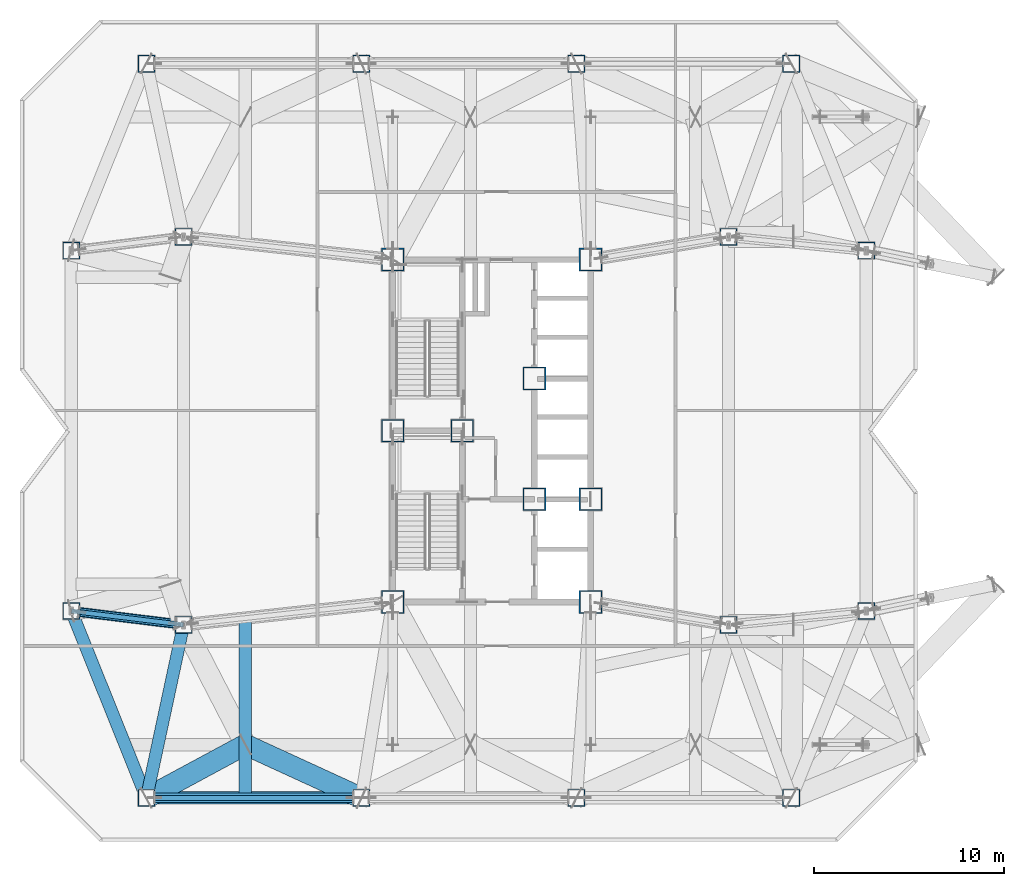
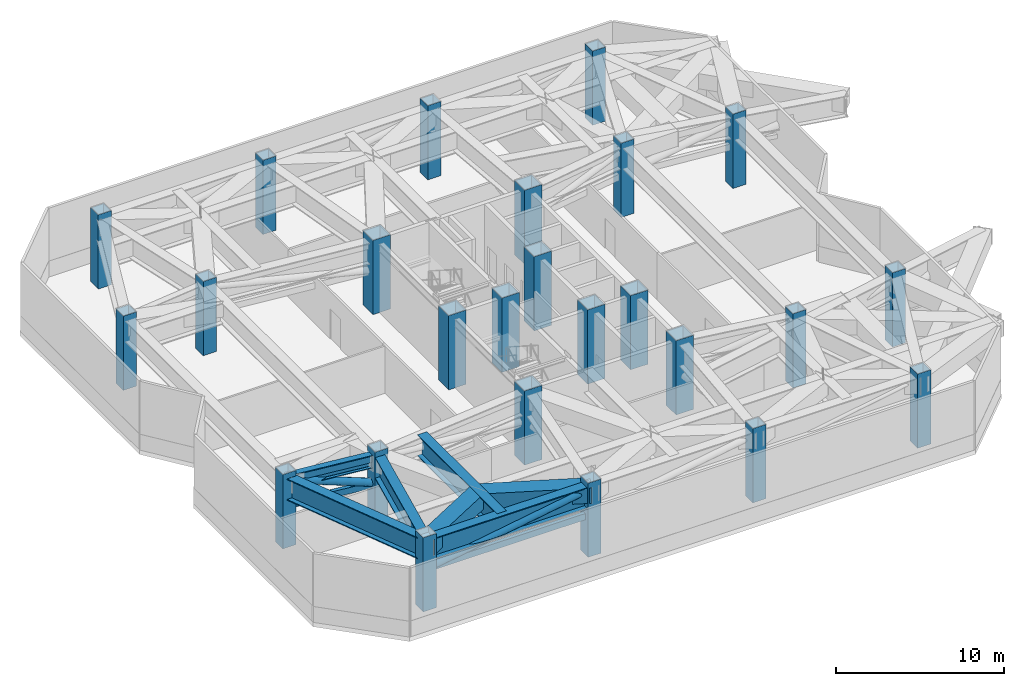
# One storey, part 1 of 19: 25 columns, 7 beams, 5 members.
"""IFC4 building model written with IfcOpenShell, lengths in metres."""

from ifc_helpers import new_model, si_unit, direction, frame, origin, origin_2d, place, context, subcontext, project, spatial, hollow_rectangle, hollow_circle, i_section, extrude, material, material_profile, profile_set, type_object, element, save


model = new_model("IFC4")

# Units and contexts
model_context = context("Model", 3, precision=1e-05, world=origin(), true_north=direction((0.0, 1.0)))
body_context = subcontext(model_context, "Body", "Model", "MODEL_VIEW")
ifc_project = project(units=[si_unit("LENGTHUNIT", "METRE"), si_unit("AREAUNIT", "SQUARE_METRE"), si_unit("VOLUMEUNIT", "CUBIC_METRE"), si_unit("PLANEANGLEUNIT", "RADIAN"), si_unit("MASSUNIT", "GRAM", prefix="KILO")], contexts=[model_context])

# Site, building, storey
site_placement = place(None, origin())
site = spatial("IfcSite", under=ifc_project, at=site_placement, CompositionType="ELEMENT")
building_placement = place(site_placement, origin())
building = spatial("IfcBuilding", under=site, at=building_placement, Name="Khamvora Tower", CompositionType="ELEMENT")
storey_placement = place(building_placement, frame((0.0, 0.0, 150.5)))
storey = spatial("IfcBuildingStorey", under=building, at=storey_placement, Name="L38", CompositionType="ELEMENT", Elevation=150.5)

# Columns
ifc_material_1 = material(Name="Steel S460", Category="steel")
ifc_material_profile_1 = material_profile(ifc_material_1, hollow_rectangle(XDim=1.199951171875, YDim=1.199951171875, WallThickness=0.06005859375, at=origin_2d()), Name="BOX1200x1200x60")
ifc_profile_set_1 = profile_set([ifc_material_profile_1], Name="Steel S460")
column_type_1 = type_object("IfcColumnType", Name="COL-BOX1200", PredefinedType="COLUMN", material=ifc_profile_set_1)
for number, where, z_axis, x_axis, name in (
    (1, (29.0, 19.0, 0.0), (0.0, 0.0, 1.0), (1.0, 0.0, 0.0), "L38 plumb core spine column SC1"),
    (2, (32.64990234375, 28.0, 0.0), (0.0, 0.0, 1.0), (1.0, 0.0, 0.0), "L38 plumb core spine column SC2"),
    (3, (39.39990234375, 19.0, 0.0), (0.0, 0.0, 1.0), (1.0, 0.0, 0.0), "L38 plumb core spine column SC3"),
    (4, (29.0, 28.0, 0.0), (0.0, 0.0, 1.0), (1.0, 0.0, 0.0), "L38 plumb core spine column SC4"),
    (5, (36.449951171875, 24.39990234375, 0.0), (0.0, 0.0, 1.0), (1.0, 0.0, 0.0), "L38 plumb core spine column SC5"),
    (6, (39.39990234375, 24.39990234375, 0.0), (0.0, 0.0, 1.0), (1.0, 0.0, 0.0), "L38 plumb core spine column SC6"),
    (7, (29.0, 37.0, 0.0), (0.0, 0.0, 1.0), (1.0, 0.0, 0.0), "L38 plumb core spine column SC7"),
    (8, (36.449951171875, 30.75, 0.0), (0.0, 0.0, 1.0), (1.0, 0.0, 0.0), "L38 plumb core spine column SC8"),
    (9, (39.39990234375, 37.0, 0.0), (0.0, 0.0, 1.0), (1.0, 0.0, 0.0), "L38 plumb core spine column SC9"),
):
    element("IfcColumn", number, at=place(storey_placement, frame(where, z_axis=z_axis, x_axis=x_axis)), inside=storey, type_object=column_type_1, Name=name, PredefinedType="COLUMN", context=body_context, shape_type="SweptSolid", body=[
        extrude(hollow_rectangle(XDim=1.199951171875, YDim=1.199951171875, WallThickness=0.06005859375, at=origin_2d()), origin(), (0.0, 0.0, 1.0), 5.375),
    ])
ifc_material_2 = material(Name="Steel S355", Category="steel")
ifc_material_profile_2 = material_profile(ifc_material_2, hollow_rectangle(XDim=0.89990234375, YDim=0.89990234375, WallThickness=0.044921875, at=origin_2d()), Name="BOX900x900x45")
ifc_profile_set_2 = profile_set([ifc_material_profile_2], Name="Steel S355")
column_type_2 = type_object("IfcColumnType", Name="COL-BOX900", PredefinedType="COLUMN", material=ifc_profile_set_2)
for number, where, z_axis, x_axis, name in (
    (10, (16.050048828125, 8.699951171875, 0.0), (0.0, 0.0, 1.0), (1.0, 0.0, 0.0), "L38 structural frame column S1"),
    (11, (27.35009765625, 8.699951171875, 0.0), (0.0, 0.0, 1.0), (1.0, 0.0, 0.0), "L38 structural frame column S2"),
    (12, (38.64990234375, 8.699951171875, 0.0), (0.0, 0.0, 1.0), (1.0, 0.0, 0.0), "L38 structural frame column S3"),
    (13, (49.949951171875, 8.699951171875, 0.0), (0.0, 0.0, 1.0), (1.0, 0.0, 0.0), "L38 structural frame column S4"),
    (14, (16.050048828125, 47.300048828125, 0.0), (0.0, 0.0, 1.0), (1.0, 0.0, 0.0), "L38 structural frame column N1"),
    (15, (27.35009765625, 47.300048828125, 0.0), (0.0, 0.0, 1.0), (1.0, 0.0, 0.0), "L38 structural frame column N2"),
    (16, (38.64990234375, 47.300048828125, 0.0), (0.0, 0.0, 1.0), (1.0, 0.0, 0.0), "L38 structural frame column N3"),
    (17, (49.949951171875, 47.300048828125, 0.0), (0.0, 0.0, 1.0), (1.0, 0.0, 0.0), "L38 structural frame column N4"),
    (18, (12.10009765625, 18.52490234375, 0.0), (0.0, 0.0, 1.0), (1.0, 0.0, 0.0), "L38 structural frame column W1"),
    (19, (12.10009765625, 37.47509765625, 0.0), (0.0, 0.0, 1.0), (1.0, 0.0, 0.0), "L38 structural frame column W2"),
    (20, (53.89990234375, 18.52490234375, 0.0), (0.0, 0.0, 1.0), (1.0, 0.0, 0.0), "L38 structural frame column E1"),
    (21, (53.89990234375, 37.47509765625, 0.0), (0.0, 0.0, 1.0), (1.0, 0.0, 0.0), "L38 structural frame column E2"),
    (22, (18.0, 17.800048828125, 0.0), (0.0, 0.0, 1.0), (1.0, 0.0, 0.0), "L38 structural frame column MW1"),
    (23, (18.0, 38.199951171875, 0.0), (0.0, 0.0, 1.0), (1.0, 0.0, 0.0), "L38 structural frame column MW2"),
    (24, (46.64990234375, 17.800048828125, 0.0), (0.0, 0.0, 1.0), (1.0, 0.0, 0.0), "L38 structural frame column M1"),
    (25, (46.64990234375, 38.199951171875, 0.0), (0.0, 0.0, 1.0), (1.0, 0.0, 0.0), "L38 structural frame column M2"),
):
    element("IfcColumn", number, at=place(storey_placement, frame(where, z_axis=z_axis, x_axis=x_axis)), inside=storey, type_object=column_type_2, Name=name, PredefinedType="COLUMN", context=body_context, shape_type="SweptSolid", body=[
        extrude(hollow_rectangle(XDim=0.89990234375, YDim=0.89990234375, WallThickness=0.044921875, at=origin_2d()), origin(), (0.0, 0.0, 1.0), 5.375),
    ])

# Beams
ifc_material_profile_3 = material_profile(ifc_material_1, hollow_rectangle(XDim=1.10009765625, YDim=1.10009765625, WallThickness=0.054931640625, at=origin_2d()), Name="BOX1100x1100x55")
ifc_profile_set_3 = profile_set([ifc_material_profile_3], Name="Steel S460")
beam_type_1 = type_object("IfcBeamType", Name="BM-TG-BOX1100", PredefinedType="BEAM", material=ifc_profile_set_3)
beam_1_placement = place(storey_placement, frame((16.050048828125, 8.699951171875, 4.429931640625), z_axis=(0.880465790352, 0.474109683532, 0.0), x_axis=(-0.474109683532, 0.880465790352, 0.0)))
element("IfcBeam", 26, at=beam_1_placement, inside=storey, type_object=beam_type_1, Name="L38 Zone Transfer Truss frame transfer link S1.1", PredefinedType="BEAM", context=body_context, shape_type="SweptSolid", body=[
    extrude(hollow_rectangle(XDim=1.10009765625, YDim=1.10009765625, WallThickness=0.054931640625, at=origin_2d()), origin(), (0.0, 0.0, 1.0), 5.906005859375),
])
beam_2_placement = place(storey_placement, frame((27.35009765625, 8.699951171875, 4.429931640625), z_axis=(-0.908829319647, 0.417168152847, 0.0), x_axis=(-0.417168152847, -0.908829319647, 0.0)))
element("IfcBeam", 27, at=beam_2_placement, inside=storey, type_object=beam_type_1, Name="L38 Zone Transfer Truss frame transfer link S1.2", PredefinedType="BEAM", context=body_context, shape_type="SweptSolid", body=[
    extrude(hollow_rectangle(XDim=1.10009765625, YDim=1.10009765625, WallThickness=0.054931640625, at=origin_2d()), origin(), (0.0, 0.0, 1.0), 6.712158203125),
])
ifc_material_profile_4 = material_profile(ifc_material_1, i_section(OverallWidth=0.64990234375, OverallDepth=1.550048828125, WebThickness=0.0400390625, FlangeThickness=0.06494140625, at=origin_2d()), Name="PG1550x650x40x65")
ifc_profile_set_4 = profile_set([ifc_material_profile_4], Name="Steel S460")
beam_type_2 = type_object("IfcBeamType", Name="BM-TG-PG1800", PredefinedType="BEAM", material=ifc_profile_set_4)
beam_3_placement = place(storey_placement, frame((12.10009765625, 18.52490234375, 4.205078125), z_axis=(0.373015921536, -0.927824941614, 0.0), x_axis=(0.927824941614, 0.373015921536, 0.0)))
element("IfcBeam", 28, at=beam_3_placement, inside=storey, type_object=beam_type_2, Name="L38 perimeter spandrel beam W1-S1", PredefinedType="BEAM", context=body_context, shape_type="SweptSolid", body=[
    extrude(i_section(OverallWidth=0.64990234375, OverallDepth=1.550048828125, WebThickness=0.0400390625, FlangeThickness=0.06494140625, at=origin_2d()), origin(), (0.0, 0.0, 1.0), 10.589111328125),
])
beam_4_placement = place(storey_placement, frame((16.050048828125, 8.699951171875, 4.205078125), z_axis=(1.0, 0.0, 0.0), x_axis=(0.0, 1.0, 0.0)))
element("IfcBeam", 29, at=beam_4_placement, inside=storey, type_object=beam_type_2, Name="L38 perimeter spandrel beam S1-S2", PredefinedType="BEAM", context=body_context, shape_type="SweptSolid", body=[
    extrude(i_section(OverallWidth=0.64990234375, OverallDepth=1.550048828125, WebThickness=0.0400390625, FlangeThickness=0.06494140625, at=origin_2d()), origin(), (0.0, 0.0, 1.0), 11.300048828125),
])
beam_5_placement = place(storey_placement, frame((18.0, 17.800048828125, 4.205078125), z_axis=(-0.209521922673, -0.977803949634, 0.0), x_axis=(0.977803949634, -0.209521922673, 0.0)))
element("IfcBeam", 30, at=beam_5_placement, inside=storey, type_object=beam_type_2, Name="L38 primary floor girder S1", PredefinedType="BEAM", context=body_context, shape_type="SweptSolid", body=[
    extrude(i_section(OverallWidth=0.64990234375, OverallDepth=1.550048828125, WebThickness=0.0400390625, FlangeThickness=0.06494140625, at=origin_2d()), origin(), (0.0, 0.0, 1.0), 9.306640625),
])
beam_6_placement = place(storey_placement, frame((21.25, 8.699951171875, 4.205078125), z_axis=(0.0, 1.0, 0.0), x_axis=(-1.0, 0.0, 0.0)))
element("IfcBeam", 31, at=beam_6_placement, inside=storey, type_object=beam_type_2, Name="L38 Zone Transfer Truss Box Girder S1", PredefinedType="BEAM", context=body_context, shape_type="SweptSolid", body=[
    extrude(i_section(OverallWidth=0.64990234375, OverallDepth=1.550048828125, WebThickness=0.0400390625, FlangeThickness=0.06494140625, at=origin_2d()), origin(), (0.0, 0.0, 1.0), 9.455078125),
])
ifc_material_profile_5 = material_profile(ifc_material_1, i_section(OverallWidth=0.423095703125, OverallDepth=0.93310546875, WebThickness=0.02392578125, FlangeThickness=0.04296875, FilletRadius=0.02001953125, at=origin_2d()), Name="W920x446")
ifc_profile_set_5 = profile_set([ifc_material_profile_5], Name="Steel S460")
beam_type_3 = type_object("IfcBeamType", Name="BM-TL-900", PredefinedType="BEAM", material=ifc_profile_set_5)
beam_7_placement = place(storey_placement, frame((18.0, 17.800048828125, 4.512939453125), z_axis=(-0.992537264608, 0.12194170068, 0.0), x_axis=(-0.12194170068, -0.992537264608, 0.0)))
element("IfcBeam", 32, at=beam_7_placement, inside=storey, type_object=beam_type_3, Name="L38 primary floor girder W1", PredefinedType="BEAM", context=body_context, shape_type="SweptSolid", body=[
    extrude(i_section(OverallWidth=0.423095703125, OverallDepth=0.93310546875, WebThickness=0.02392578125, FlangeThickness=0.04296875, FilletRadius=0.02001953125, at=origin_2d()), origin(), (0.0, 0.0, 1.0), 5.9443359375),
])

# Members
ifc_material_profile_6 = material_profile(ifc_material_1, hollow_circle(Radius=0.25390625, WallThickness=0.02490234375, at=origin_2d()), Name="CHS508x25")
ifc_profile_set_6 = profile_set([ifc_material_profile_6], Name="Steel S460")
member_type_1 = type_object("IfcMemberType", Name="MEM-BR-CHS508", PredefinedType="BRACE", material=ifc_profile_set_6)
member_1_placement = place(storey_placement, frame((16.47412109375, 8.699951171875, 2.830078125), z_axis=(0.986577044491, 0.0, 0.163296464396), x_axis=(0.0, 1.0, 0.0)))
element("IfcMember", 33, at=member_1_placement, inside=storey, type_object=member_type_1, Name="L38 Perimeter Belt Truss Diagonal 1.1", PredefinedType="BRACE", context=body_context, shape_type="SweptSolid", body=[
    extrude(hollow_circle(Radius=0.25390625, WallThickness=0.02490234375, at=origin_2d()), origin(), (0.0, 0.0, 1.0), 10.593994140625),
])
ifc_material_profile_7 = material_profile(ifc_material_1, hollow_circle(Radius=0.25390625, WallThickness=0.02490234375, at=origin_2d()), Name="CHS508x25")
ifc_profile_set_7 = profile_set([ifc_material_profile_7], Name="Steel S460")
member_type_2 = type_object("IfcMemberType", Name="MEM-BR-CHS508I", PredefinedType="BRACE", material=ifc_profile_set_7)
member_2_placement = place(storey_placement, frame((17.593017578125, 17.85009765625, 2.888916015625), z_axis=(-0.946786414703, 0.116348560947, 0.30009747966), x_axis=(-0.121970352572, -0.992533744058, 0.0)))
element("IfcMember", 34, at=member_2_placement, inside=storey, type_object=member_type_2, Name="L38 Outrigger Truss Web Diagonal 2", PredefinedType="BRACE", context=body_context, shape_type="SweptSolid", body=[
    extrude(hollow_circle(Radius=0.25390625, WallThickness=0.02490234375, at=origin_2d()), origin(), (0.0, 0.0, 1.0), 5.371826171875),
])
ifc_material_profile_8 = material_profile(ifc_material_1, hollow_rectangle(XDim=0.25, YDim=0.449951171875, WallThickness=0.01611328125, at=origin_2d()), Name="RHS450x250x16")
ifc_profile_set_8 = profile_set([ifc_material_profile_8], Name="Steel S460")
member_type_3 = type_object("IfcMemberType", Name="MEM-CH-RHS450", PredefinedType="CHORD", material=ifc_profile_set_8)
for number, where, z_axis, x_axis, name in (
    (35, (18.0, 17.800048828125, 4.6298828125), (-0.992537264608, 0.12194170068, 0.0), (-0.12194170068, -0.992537264608, 0.0), "L38 Outrigger Truss Top Chord 2"),
    (36, (18.0, 17.800048828125, 2.760009765625), (-0.992537264608, 0.12194170068, 0.0), (-0.12194170068, -0.992537264608, 0.0), "L38 Outrigger Truss Bottom Chord 2"),
):
    element("IfcMember", number, at=place(storey_placement, frame(where, z_axis=z_axis, x_axis=x_axis)), inside=storey, type_object=member_type_3, Name=name, PredefinedType="CHORD", context=body_context, shape_type="SweptSolid", body=[
        extrude(hollow_rectangle(XDim=0.25, YDim=0.449951171875, WallThickness=0.01611328125, at=origin_2d()), origin(), (0.0, 0.0, 1.0), 5.9443359375),
    ])
member_3_placement = place(storey_placement, frame((16.47998046875, 8.699951171875, 2.760009765625), z_axis=(1.0, 0.0, 0.0), x_axis=(0.0, 1.0, 0.0)))
element("IfcMember", 37, at=member_3_placement, inside=storey, type_object=member_type_3, Name="L38 Perimeter Belt Truss Bottom Chord 1.1", PredefinedType="CHORD", context=body_context, shape_type="SweptSolid", body=[
    extrude(hollow_rectangle(XDim=0.25, YDim=0.449951171875, WallThickness=0.01611328125, at=origin_2d()), origin(), (0.0, 0.0, 1.0), 10.43994140625),
])

save(model, "model.ifc")
